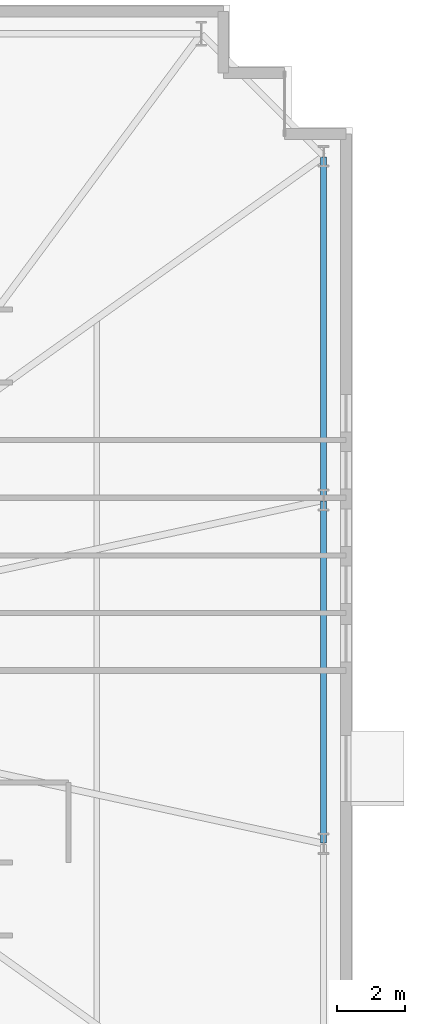
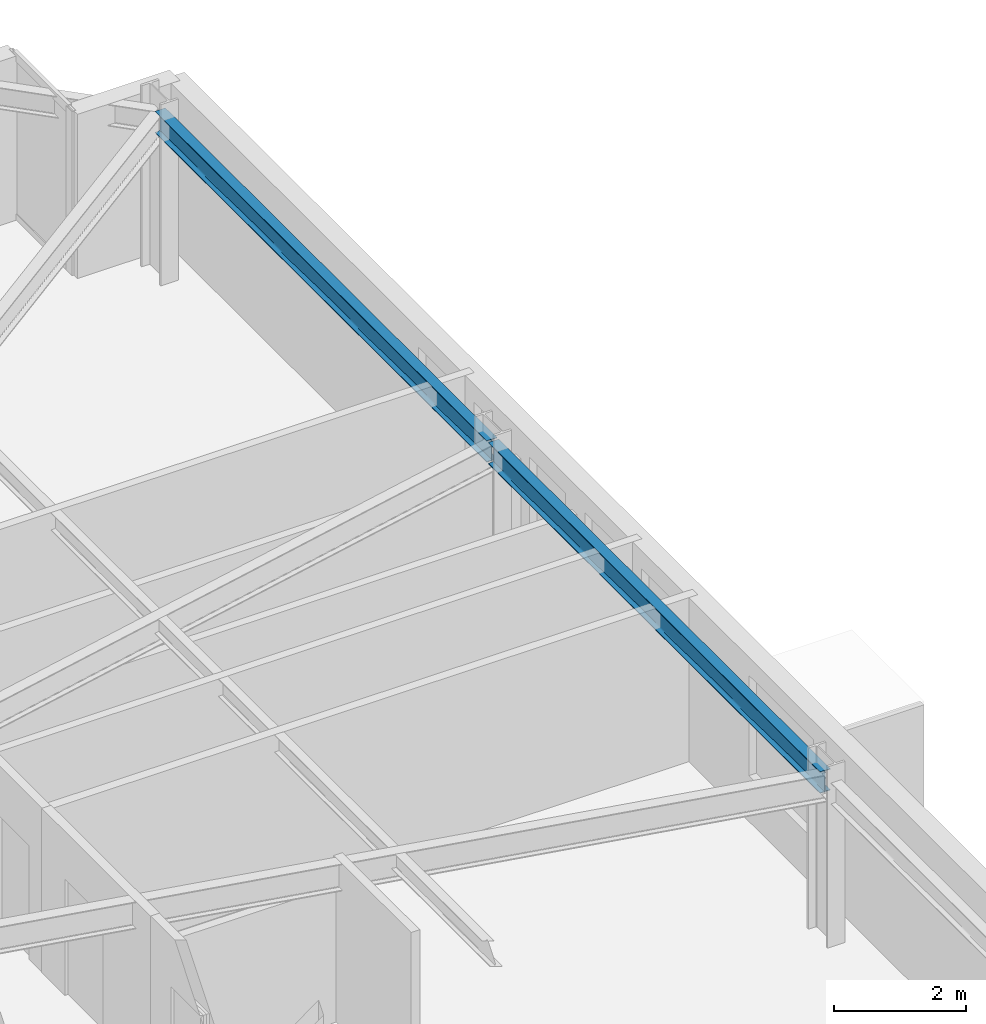
# One storey, part 11 of 21: 2 beams.
"""IFC4 building model written with IfcOpenShell, lengths in metres."""

import ifcopenshell
import ifcopenshell.guid

model = None  # the IFC model being written
_history = None  # IfcOwnerHistory: only IFC2X3 demands one
_inside = {}  # id of a spatial element -> (the spatial element, [elements in it])
_under = {}  # id of a project, library or spatial element -> (it, [spatial elements below it])
_declared = {}  # id of a project -> (the project, [libraries it declares])
_typed = {}  # id of a type object -> (the type object, [elements of that type])
_made_of = {}  # id of a material, layer set ... -> (it, [elements and type objects made of it])


def new_model(schema):
    """Start an empty IFC model of exactly this schema.

    Asked for "IFC4X3", IfcOpenShell would pick the latest addendum, in which some entities
    have other attributes; the version numbers below select the first issue.
    IFC2X3 requires an IfcOwnerHistory on every rooted entity: one is made here for all.
    """
    global model, _history
    if schema == "IFC4X3":
        model = ifcopenshell.file(schema_version=(4, 3, 0, 0))
    else:
        model = ifcopenshell.file(schema=schema)
    _inside.clear()
    _under.clear()
    _declared.clear()
    _typed.clear()
    _made_of.clear()
    _history = None
    if model.schema == "IFC2X3":
        org = make("IfcOrganization", Name="unknown")
        user = make(
            "IfcPersonAndOrganization",
            ThePerson=make("IfcPerson", FamilyName="unknown"),
            TheOrganization=org,
        )
        app = make(
            "IfcApplication",
            ApplicationDeveloper=org,
            Version="unknown",
            ApplicationFullName="unknown",
            ApplicationIdentifier="unknown",
        )
        _history = make(
            "IfcOwnerHistory",
            OwningUser=user,
            OwningApplication=app,
            ChangeAction="ADDED",
            CreationDate=0,
        )
    return model


def make(cls, **values):
    """One entity of the class cls with the attributes given. An attribute that is None is left unset."""
    return model.create_entity(
        cls, **{name: value for name, value in values.items() if value is not None}
    )


def rooted(cls, **values):
    """An entity with a GlobalId (a new one), such as an element, a storey or a relation."""
    return make(cls, GlobalId=ifcopenshell.guid.new(), OwnerHistory=_history, **values)


def si_unit(unit_type, name, prefix=None):
    """IfcSIUnit, for example si_unit("LENGTHUNIT", "METRE", prefix="MILLI")."""
    return make("IfcSIUnit", UnitType=unit_type, Prefix=prefix, Name=name)


def assignment(units):
    """IfcUnitAssignment: the units of a project."""
    return None if units is None else make("IfcUnitAssignment", Units=units)


def point(xyz):
    """IfcCartesianPoint."""
    return None if xyz is None else make("IfcCartesianPoint", Coordinates=xyz)


def direction(xyz):
    """IfcDirection."""
    return None if xyz is None else make("IfcDirection", DirectionRatios=xyz)


def frame(location, z_axis=None, x_axis=None):
    """IfcAxis2Placement3D, a coordinate frame: its origin and axes. An axis left out is left unset."""
    return make(
        "IfcAxis2Placement3D",
        Location=point(location),
        Axis=direction(z_axis),
        RefDirection=direction(x_axis),
    )


def frame_2d(location, x_axis=None):
    """IfcAxis2Placement2D, a coordinate frame in the plane: its origin and x axis."""
    return make(
        "IfcAxis2Placement2D", Location=point(location), RefDirection=direction(x_axis)
    )


def origin():
    """The frame at (0, 0, 0) with its axes left unset."""
    return frame((0.0, 0.0, 0.0))


def origin_2d():
    """The frame at (0, 0) in the plane with its x axis left unset."""
    return frame_2d((0.0, 0.0))


def place(relative_to, where):
    """IfcLocalPlacement: puts the frame where relative to a parent placement (None: the world)."""
    return make(
        "IfcLocalPlacement", PlacementRelTo=relative_to, RelativePlacement=where
    )


def context(
    kind, dimensions, precision=None, world=None, true_north=None, identifier=None
):
    """IfcGeometricRepresentationContext, for example the 3D "Model" context."""
    return make(
        "IfcGeometricRepresentationContext",
        ContextIdentifier=identifier,
        ContextType=kind,
        CoordinateSpaceDimension=dimensions,
        Precision=precision,
        WorldCoordinateSystem=world,
        TrueNorth=true_north,
    )


def subcontext(parent, identifier, kind, view, scale=None):
    """IfcGeometricRepresentationSubContext, for example "Body" below "Model"."""
    return make(
        "IfcGeometricRepresentationSubContext",
        ContextIdentifier=identifier,
        ContextType=kind,
        ParentContext=parent,
        TargetScale=scale,
        TargetView=view,
    )


def project(units=None, contexts=None):
    """IfcProject with its units and contexts."""
    return rooted(
        "IfcProject",
        Name="project",
        RepresentationContexts=contexts,
        UnitsInContext=assignment(units),
    )


def spatial(cls, under=None, at=None, **own):
    """A site, building, storey or space (cls), placed at a placement, below another one or the project."""
    s = rooted(cls, ObjectPlacement=at, **own)
    if under is not None:
        _under.setdefault(under.id(), (under, []))[1].append(s)
    return s


def profile(cls, at=None, kind="AREA", **sizes):
    """A parametric profile (cls). Its sizes go by their IFC names, for example OverallWidth=200.0."""
    return make(cls, ProfileType=kind, Position=at, **sizes)


def i_section(**sizes):
    """IfcIShapeProfileDef."""
    return profile("IfcIShapeProfileDef", **sizes)


def extrude(swept, where, along, depth):
    """IfcExtrudedAreaSolid: the profile swept, set in the frame where, extruded along a direction by depth."""
    return make(
        "IfcExtrudedAreaSolid",
        SweptArea=swept,
        Position=where,
        ExtrudedDirection=direction(along),
        Depth=depth,
    )


def shape(context_of_items, identifier, shape_type, items):
    """IfcShapeRepresentation: the items that make up one representation, for example the "Body"."""
    return make(
        "IfcShapeRepresentation",
        ContextOfItems=context_of_items,
        RepresentationIdentifier=identifier,
        RepresentationType=shape_type,
        Items=items,
    )


def material(Name=None, Category=None):
    """IfcMaterial."""
    return make("IfcMaterial", Name=Name, Category=Category)


def material_profile(
    of_material, cross_section, Name=None, Category=None, Priority=None
):
    """IfcMaterialProfile: a cross section and its material."""
    return make(
        "IfcMaterialProfile",
        Name=Name,
        Material=of_material,
        Profile=cross_section,
        Priority=Priority,
        Category=Category,
    )


def profile_set(profiles, Name=None, composite=None):
    """IfcMaterialProfileSet."""
    return make(
        "IfcMaterialProfileSet",
        Name=Name,
        MaterialProfiles=profiles,
        CompositeProfile=composite,
    )


def made_of(thing, what):
    """Note that an element or type object is made of a material, layer set ...; save() writes the relation."""
    if what is not None:
        _made_of.setdefault(what.id(), (what, []))[1].append(thing)
    return thing


def type_object(cls, material=None, **own):
    """A type object (cls), such as IfcWallType, which elements share."""
    return made_of(rooted(cls, **own), material)


def element(
    cls,
    number,
    at=None,
    inside=None,
    cuts=None,
    type_object=None,
    material=None,
    context=None,
    identifier="Body",
    shape_type=None,
    held_by="IfcProductDefinitionShape",
    body=None,
    shapes=None,
    **own,
):
    """One element of the class cls, such as IfcWall. Its Tag is "e" and its number.

    at: its placement. inside: the storey or other place that contains it. cuts: it is an
    opening in that element (IfcRelVoidsElement). A single representation is given by context,
    identifier, shape_type and body (its items); several are given by shapes. held_by: the class
    of the entity that holds the representations. save() writes the other relations.
    """
    e = rooted(cls, Tag="e%d" % number, ObjectPlacement=at, **own)
    if body is not None:
        shapes = [shape(context, identifier, shape_type, body)]
    if shapes is not None:
        e.Representation = make(held_by, Representations=shapes)
    if inside is not None:
        _inside.setdefault(inside.id(), (inside, []))[1].append(e)
    if cuts is not None:
        rooted(
            "IfcRelVoidsElement", RelatingBuildingElement=cuts, RelatedOpeningElement=e
        )
    if type_object is not None:
        _typed.setdefault(type_object.id(), (type_object, []))[1].append(e)
    return made_of(e, material)


def aggregate(whole, parts):
    """IfcRelAggregates: a whole, such as a stair, and the parts it consists of."""
    return rooted("IfcRelAggregates", RelatingObject=whole, RelatedObjects=parts)


def save(model, path):
    """Write the relations noted so far, then the file.

    IfcRelAggregates (storeys below a building ...), IfcRelContainedInSpatialStructure (elements
    in a storey), IfcRelDefinesByType, IfcRelAssociatesMaterial and IfcRelDeclares: one each for
    every whole, place, type object, material and project.
    """
    for whole, parts in _under.values():
        aggregate(whole, parts)
    for where, things in _inside.values():
        rooted(
            "IfcRelContainedInSpatialStructure",
            RelatedElements=things,
            RelatingStructure=where,
        )
    for kind, things in _typed.values():
        rooted("IfcRelDefinesByType", RelatedObjects=things, RelatingType=kind)
    for what, things in _made_of.values():
        rooted("IfcRelAssociatesMaterial", RelatedObjects=things, RelatingMaterial=what)
    for by, libraries in _declared.values():
        rooted("IfcRelDeclares", RelatingContext=by, RelatedDefinitions=libraries)
    model.write(path)


model = new_model("IFC4")

# Units and contexts
model_context = context("Model", 3, precision=1e-05, world=origin(), true_north=direction((0.0, 1.0)))
body_context = subcontext(model_context, "Body", "Model", "MODEL_VIEW")
ifc_project = project(units=[si_unit("LENGTHUNIT", "METRE"), si_unit("AREAUNIT", "SQUARE_METRE"), si_unit("VOLUMEUNIT", "CUBIC_METRE"), si_unit("PLANEANGLEUNIT", "RADIAN"), si_unit("MASSUNIT", "GRAM", prefix="KILO")], contexts=[model_context])

# Site, building, storey
site_placement = place(None, origin())
site = spatial("IfcSite", under=ifc_project, at=site_placement, CompositionType="ELEMENT")
building_placement = place(site_placement, origin())
building = spatial("IfcBuilding", under=site, at=building_placement, Name="Qobustan Lattice House", CompositionType="ELEMENT")
storey_placement = place(building_placement, frame((0.0, 0.0, 57.14990234375)))
storey = spatial("IfcBuildingStorey", under=building, at=storey_placement, Name="L15", CompositionType="ELEMENT", Elevation=57.14990234375)

# Beams
ifc_material = material(Name="Steel S355", Category="steel")
ifc_material_profile = material_profile(ifc_material, i_section(OverallWidth=0.179931640625, OverallDepth=0.39990234375, WebThickness=0.008544921875, FlangeThickness=0.013427734375, FilletRadius=0.02099609375, at=origin_2d()), Name="IPE400")
ifc_profile_set = profile_set([ifc_material_profile], Name="Steel S355")
beam_type = type_object("IfcBeamType", Name="BM-SPD-IPE400", PredefinedType="SPANDREL", material=ifc_profile_set)
beam_1_placement = place(storey_placement, frame((32.14990234375, -5.02490234375, 2.835205078125), z_axis=(0.0, 1.0, 0.0), x_axis=(-1.0, 0.0, 0.0)))
element("IfcBeam", 1, at=beam_1_placement, inside=storey, type_object=beam_type, Name="L15 perimeter spandrel E2-E3", PredefinedType="SPANDREL", context=body_context, shape_type="SweptSolid", body=[
    extrude(i_section(OverallWidth=0.179931640625, OverallDepth=0.39990234375, WebThickness=0.008544921875, FlangeThickness=0.013427734375, FilletRadius=0.02099609375, at=origin_2d()), origin(), (0.0, 0.0, 1.0), 10.0498046875),
])
beam_2_placement = place(storey_placement, frame((32.14990234375, 5.074951171875, 2.835205078125), z_axis=(0.0, 1.0, 0.0), x_axis=(-1.0, 0.0, 0.0)))
element("IfcBeam", 2, at=beam_2_placement, inside=storey, type_object=beam_type, Name="L15 perimeter spandrel E3-E4", PredefinedType="SPANDREL", context=body_context, shape_type="SweptSolid", body=[
    extrude(i_section(OverallWidth=0.179931640625, OverallDepth=0.39990234375, WebThickness=0.008544921875, FlangeThickness=0.013427734375, FilletRadius=0.02099609375, at=origin_2d()), origin(), (0.0, 0.0, 1.0), 10.050048828125),
])

save(model, "model.ifc")
